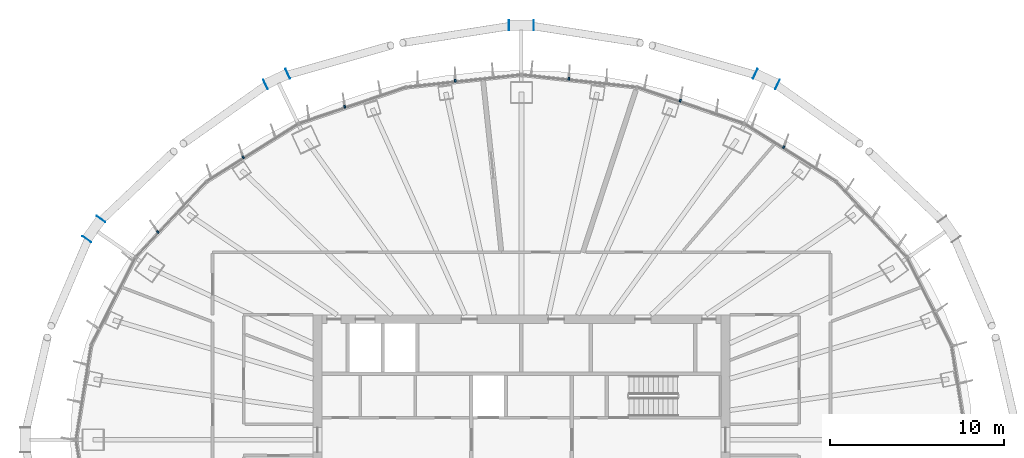
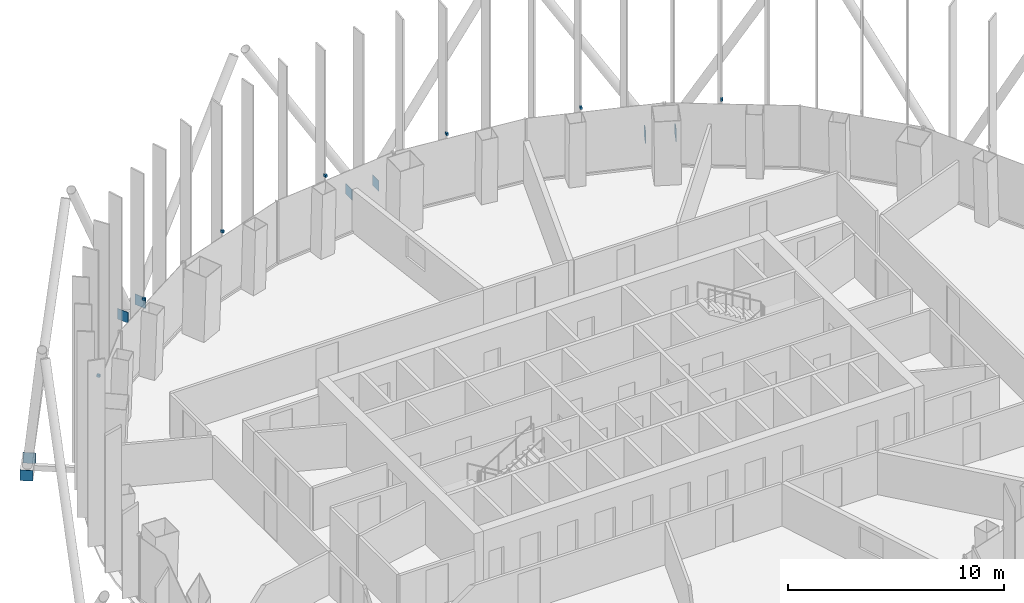
# One storey, part 15 of 20: 15 discrete accessories.
"""IFC4 building model written with IfcOpenShell, lengths in metres."""

from ifc_helpers import new_model, si_unit, direction, frame, origin, origin_2d, place, context, subcontext, project, spatial, rectangle, extrude, material, layer, layer_set, type_object, element, save


model = new_model("IFC4")

# Units and contexts
model_context = context("Model", 3, precision=1e-05, world=origin(), true_north=direction((0.0, 1.0)))
body_context = subcontext(model_context, "Body", "Model", "MODEL_VIEW")
ifc_project = project(units=[si_unit("LENGTHUNIT", "METRE"), si_unit("AREAUNIT", "SQUARE_METRE"), si_unit("VOLUMEUNIT", "CUBIC_METRE"), si_unit("PLANEANGLEUNIT", "RADIAN"), si_unit("MASSUNIT", "GRAM", prefix="KILO")], contexts=[model_context])

# Site, building, storey
site_placement = place(None, origin())
site = spatial("IfcSite", under=ifc_project, at=site_placement, CompositionType="ELEMENT")
building_placement = place(site_placement, origin())
building = spatial("IfcBuilding", under=site, at=building_placement, Name="Siaravel Broadcast Tower", CompositionType="ELEMENT")
storey_placement = place(building_placement, frame((0.0, 0.0, 108.199951171875)))
storey = spatial("IfcBuildingStorey", under=building, at=storey_placement, Name="L25", CompositionType="ELEMENT", Elevation=108.199951171875)

# Discrete accessories
ifc_material_1 = material(Name="Stainless steel 316", Category="steel")
discrete_accessory_type_1 = type_object("IfcDiscreteAccessoryType", Name="Stainless steel fin bracket", PredefinedType="USERDEFINED", material=ifc_material_1)
for number, where, z_axis, x_axis, name in (
    (1, (15.113037109375, 16.864501953125, 3.68505859375), (0.0, 0.0, 1.0), (0.532149452, 0.846650436, 0.0), "Fin bracket L25-10"),
    (2, (9.146728515625, 19.541015625, 3.68505859375), (0.0, 0.0, 1.0), (0.321300635, 0.946977245, 0.0), "Fin bracket L25-13"),
    (3, (2.727783203125, 20.809814453125, 3.68505859375), (0.0, 0.0, 1.0), (0.107216783, 0.994235667, 0.0), "Fin bracket L25-16"),
    (4, (-3.815185546875, 20.692626953125, 3.68505859375), (0.0, 0.0, 1.0), (-0.107216783, 0.994235667, 0.0), "Fin bracket L25-19"),
    (5, (-10.1826171875, 19.189453125, 3.68505859375), (0.0, 0.0, 1.0), (-0.321300635, 0.946977245, 0.0), "Fin bracket L25-22"),
    (6, (-16.039306640625, 16.282470703125, 3.68505859375), (0.0, 0.0, 1.0), (-0.532149452, 0.846650436, 0.0), "Fin bracket L25-25"),
    (7, (-20.954345703125, 11.97900390625, 3.68505859375), (0.0, 0.0, 1.0), (-0.729804415, 0.683655992, 0.0), "Fin bracket L25-28"),
):
    element("IfcDiscreteAccessory", number, at=place(storey_placement, frame(where, z_axis=z_axis, x_axis=x_axis)), inside=storey, type_object=discrete_accessory_type_1, Name=name, ObjectType="BRACKET", PredefinedType="USERDEFINED", context=body_context, shape_type="SweptSolid", body=[
        extrude(rectangle(XDim=0.159912109375, YDim=0.10009765625, at=origin_2d()), origin(), (0.0, 0.0, 1.0), 0.139892578125),
    ])
ifc_material_2 = material(Name="Steel S355", Category="steel")
ifc_layer = layer(ifc_material_2, 0.02001953125)
ifc_layer_set = layer_set([ifc_layer], Name="Steel S355")
discrete_accessory_type_2 = type_object("IfcDiscreteAccessoryType", Name="Steel end plate 20 mm", PredefinedType="USERDEFINED", material=ifc_layer_set)
for number, where, z_axis, x_axis, name in (
    (8, (13.464599609375, 21.090087890625, -0.5), (0.0, 0.0, 1.0), (-0.904007202, 0.427517227, 0.0), "End plate R11 station 12A"),
    (9, (14.748046875, 20.483154296875, -0.5), (0.0, 0.0, 1.0), (-0.904007202, 0.427517227, 0.0), "End plate R11 station 12B"),
    (10, (-0.7099609375, 23.88818359375, -0.5), (0.0, 0.0, 1.0), (-1.0, 0.0, 0.0), "End plate R11 station 18A"),
    (11, (0.7099609375, 23.88818359375, -0.5), (0.0, 0.0, 1.0), (-1.0, 0.0, 0.0), "End plate R11 station 18B"),
    (12, (-14.748046875, 20.483154296875, -0.5), (0.0, 0.0, 1.0), (-0.904007202, -0.427517227, 0.0), "End plate R11 station 24A"),
    (13, (-13.464599609375, 21.090087890625, -0.5), (0.0, 0.0, 1.0), (-0.904007202, -0.427517227, 0.0), "End plate R11 station 24B"),
    (14, (-25.041748046875, 11.56201171875, -0.5), (0.0, 0.0, 1.0), (-0.576119939, -0.817365167, 0.0), "End plate R11 station 30A"),
    (15, (-24.2236328125, 12.722412109375, -0.5), (0.0, 0.0, 1.0), (-0.576119939, -0.817365167, 0.0), "End plate R11 station 30B"),
):
    element("IfcDiscreteAccessory", number, at=place(storey_placement, frame(where, z_axis=z_axis, x_axis=x_axis)), inside=storey, type_object=discrete_accessory_type_2, Name=name, ObjectType="END PLATE", PredefinedType="USERDEFINED", context=body_context, shape_type="SweptSolid", body=[
        extrude(rectangle(XDim=0.02001953125, YDim=0.60009765625, at=origin_2d()), origin(), (0.0, 0.0, 1.0), 0.60009765625),
    ])

save(model, "model.ifc")
